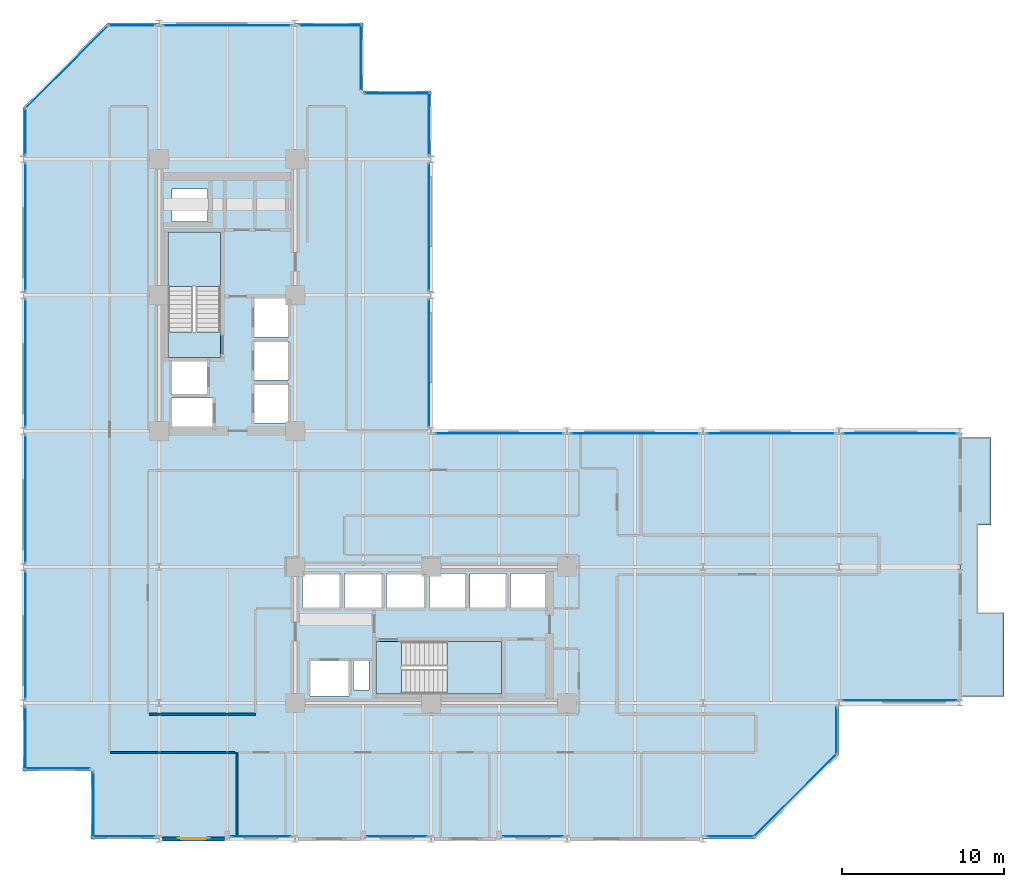
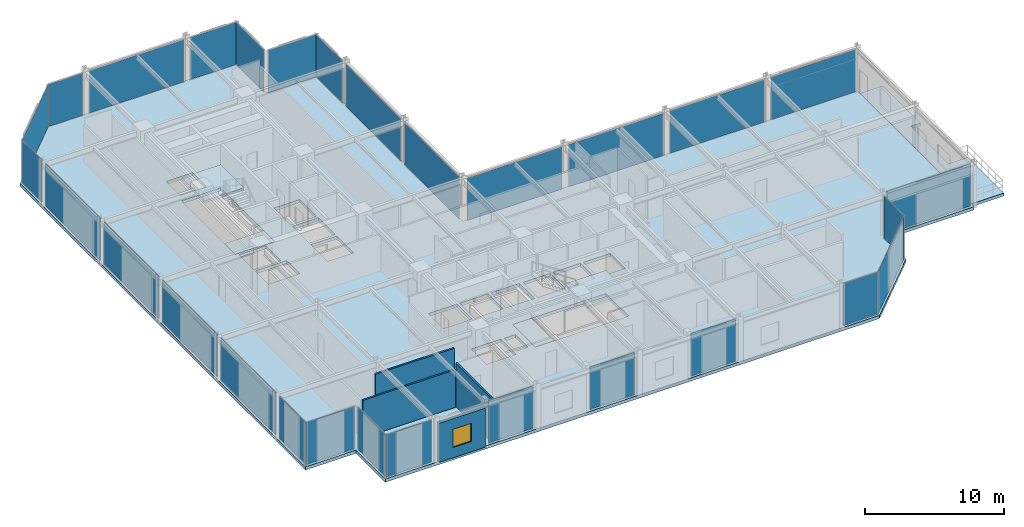
# One storey, part 31 of 38: 29 plates, 6 slabs, 4 walls, 1 window, 1 opening, 31 elements without a shape of their own.
"""IFC4 building model written with IfcOpenShell, lengths in metres."""

from ifc_helpers import new_model, si_unit, direction, frame, frame_2d, origin, origin_2d, place, context, subcontext, project, spatial, polyline, rectangle, outline, extrude, material, layer, layer_set, type_object, element, fill, aggregate, save


model = new_model("IFC4")

# Units and contexts
model_context = context("Model", 3, precision=1e-05, world=origin(), true_north=direction((0.0, 1.0)))
body_context = subcontext(model_context, "Body", "Model", "MODEL_VIEW")
ifc_project = project(units=[si_unit("LENGTHUNIT", "METRE"), si_unit("AREAUNIT", "SQUARE_METRE"), si_unit("VOLUMEUNIT", "CUBIC_METRE"), si_unit("PLANEANGLEUNIT", "RADIAN"), si_unit("MASSUNIT", "GRAM", prefix="KILO")], contexts=[model_context])

# Site, building, storey
site_placement = place(None, origin())
site = spatial("IfcSite", under=ifc_project, at=site_placement, CompositionType="ELEMENT")
building_placement = place(site_placement, origin())
building = spatial("IfcBuilding", under=site, at=building_placement, Name="Nerrivon Quay Data Exchange", CompositionType="ELEMENT")
storey_placement = place(building_placement, frame((0.0, 0.0, 88.5)))
storey = spatial("IfcBuildingStorey", under=building, at=storey_placement, Name="L20", CompositionType="ELEMENT", Elevation=88.5)

# Curtain wall, plate
ifc_material_1 = material(Name="Anodised aluminium 6063-T6", Category="aluminium")
ifc_layer_1 = layer(ifc_material_1, 0.199951171875)
ifc_layer_set_1 = layer_set([ifc_layer_1], Name="Anodised aluminium 6063-T6")
curtain_wall_type_1 = type_object("IfcCurtainWallType", Name="CW-SYS-04", PredefinedType="NOTDEFINED", material=ifc_layer_set_1)
curtain_wall_1_placement = place(storey_placement, origin())
curtain_wall_1 = element("IfcCurtainWall", 1, at=curtain_wall_1_placement, inside=storey, type_object=curtain_wall_type_1, Name="L20 Unitised Curtain Wall 3", PredefinedType="NOTDEFINED")
ifc_material_2 = material(Name="Double-glazed low-E solar control glass", Category="glass")
ifc_layer_2 = layer(ifc_material_2, 0.028076171875)
ifc_layer_set_2 = layer_set([ifc_layer_2], Name="Double-glazed low-E solar control glass")
plate_type = type_object("IfcPlateType", Name="CWP-GLZ-28", PredefinedType="CURTAIN_PANEL", material=ifc_layer_set_2)
plate_1_placement = place(storey_placement, frame((54.17236328125, 8.5400390625, 0.06494140625), z_axis=(0.0, 0.0, 1.0), x_axis=(-1.0, 0.0, 0.0)))
plate_1 = element("IfcPlate", 2, at=plate_1_placement, type_object=plate_type, Name="CW04 panel 1.1", PredefinedType="CURTAIN_PANEL", context=body_context, shape_type="SweptSolid", body=[
    extrude(rectangle(XDim=6.994384765625, YDim=0.028076171875, at=origin_2d()), origin(), (0.0, 0.0, 1.0), 3.695068359375),
])
aggregate(curtain_wall_1, [plate_1])

ifc_layer_3 = layer(ifc_material_1, 0.2099609375)
ifc_layer_set_3 = layer_set([ifc_layer_3], Name="Anodised aluminium 6063-T6")
curtain_wall_type_2 = type_object("IfcCurtainWallType", Name="CW-SYS-02", PredefinedType="NOTDEFINED", material=ifc_layer_set_3)
curtain_wall_2_placement = place(storey_placement, origin())
curtain_wall_2 = element("IfcCurtainWall", 3, at=curtain_wall_2_placement, inside=storey, type_object=curtain_wall_type_2, Name="L20 Unitised Curtain Wall 4", PredefinedType="NOTDEFINED")
plate_2_placement = place(storey_placement, frame((50.260009765625, 6.699951171875, 0.06494140625), z_axis=(0.0, 0.0, 1.0), x_axis=(0.0, -1.0, 0.0)))
plate_2 = element("IfcPlate", 4, at=plate_2_placement, type_object=plate_type, Name="CW02 panel 1.1", PredefinedType="CURTAIN_PANEL", context=body_context, shape_type="SweptSolid", body=[
    extrude(rectangle(XDim=2.85009765625, YDim=0.028076171875, at=origin_2d()), origin(), (0.0, 0.0, 1.0), 3.695068359375),
])
aggregate(curtain_wall_2, [plate_2])

curtain_wall_3_placement = place(storey_placement, origin())
curtain_wall_3 = element("IfcCurtainWall", 5, at=curtain_wall_3_placement, inside=storey, type_object=curtain_wall_type_2, Name="L20 Unitised Curtain Wall 5", PredefinedType="NOTDEFINED")
plate_3_placement = place(storey_placement, frame((47.700927734375, 2.698974609375, 0.06494140625), z_axis=(0.0, 0.0, 1.0), x_axis=(-0.707106781187, -0.707106781187, 0.0)))
plate_3 = element("IfcPlate", 6, at=plate_3_placement, type_object=plate_type, Name="CW02 panel 1.1", PredefinedType="CURTAIN_PANEL", context=body_context, shape_type="SweptSolid", body=[
    extrude(rectangle(XDim=7.203857421875, YDim=0.028076171875, at=origin_2d()), origin(), (0.0, 0.0, 1.0), 3.695068359375),
])
aggregate(curtain_wall_3, [plate_3])

curtain_wall_4_placement = place(storey_placement, origin())
curtain_wall_4 = element("IfcCurtainWall", 7, at=curtain_wall_4_placement, inside=storey, type_object=curtain_wall_type_2, Name="L20 Unitised Curtain Wall 6", PredefinedType="NOTDEFINED")
plate_4_placement = place(storey_placement, frame((43.699951171875, 0.139892578125, 0.06494140625), z_axis=(0.0, 0.0, 1.0), x_axis=(-1.0, 0.0, 0.0)))
plate_4 = element("IfcPlate", 8, at=plate_4_placement, type_object=plate_type, Name="CW02 panel 1.1", PredefinedType="CURTAIN_PANEL", context=body_context, shape_type="SweptSolid", body=[
    extrude(rectangle(XDim=2.85009765625, YDim=0.028076171875, at=origin_2d()), origin(), (0.0, 0.0, 1.0), 3.695068359375),
])
aggregate(curtain_wall_4, [plate_4])

curtain_wall_5_placement = place(storey_placement, origin())
curtain_wall_5 = element("IfcCurtainWall", 9, at=curtain_wall_5_placement, inside=storey, type_object=curtain_wall_type_2, Name="L20 Unitised Curtain Wall 8", PredefinedType="NOTDEFINED")
plate_5_placement = place(storey_placement, frame((31.487548828125, 0.139892578125, 0.06494140625), z_axis=(0.0, 0.0, 1.0), x_axis=(-1.0, 0.0, 0.0)))
plate_5 = element("IfcPlate", 10, at=plate_5_placement, type_object=plate_type, Name="CW02 panel 1.1", PredefinedType="CURTAIN_PANEL", context=body_context, shape_type="SweptSolid", body=[
    extrude(rectangle(XDim=3.675048828125, YDim=0.028076171875, at=origin_2d()), origin(), (0.0, 0.0, 1.0), 3.695068359375),
])
aggregate(curtain_wall_5, [plate_5])

curtain_wall_6_placement = place(storey_placement, origin())
curtain_wall_6 = element("IfcCurtainWall", 11, at=curtain_wall_6_placement, inside=storey, type_object=curtain_wall_type_2, Name="L20 Unitised Curtain Wall 10", PredefinedType="NOTDEFINED")
plate_6_placement = place(storey_placement, frame((23.08740234375, 0.139892578125, 0.06494140625), z_axis=(0.0, 0.0, 1.0), x_axis=(-1.0, 0.0, 0.0)))
plate_6 = element("IfcPlate", 12, at=plate_6_placement, type_object=plate_type, Name="CW02 panel 1.1", PredefinedType="CURTAIN_PANEL", context=body_context, shape_type="SweptSolid", body=[
    extrude(rectangle(XDim=3.675048828125, YDim=0.028076171875, at=origin_2d()), origin(), (0.0, 0.0, 1.0), 3.695068359375),
])
aggregate(curtain_wall_6, [plate_6])

curtain_wall_7_placement = place(storey_placement, origin())
curtain_wall_7 = element("IfcCurtainWall", 13, at=curtain_wall_7_placement, inside=storey, type_object=curtain_wall_type_2, Name="L20 Unitised Curtain Wall 12", PredefinedType="NOTDEFINED")
plate_7_placement = place(storey_placement, frame((14.6875, 0.139892578125, 0.06494140625), z_axis=(0.0, 0.0, 1.0), x_axis=(-1.0, 0.0, 0.0)))
plate_7 = element("IfcPlate", 14, at=plate_7_placement, type_object=plate_type, Name="CW02 panel 1.1", PredefinedType="CURTAIN_PANEL", context=body_context, shape_type="SweptSolid", body=[
    extrude(rectangle(XDim=3.675048828125, YDim=0.028076171875, at=origin_2d()), origin(), (0.0, 0.0, 1.0), 3.695068359375),
])
aggregate(curtain_wall_7, [plate_7])

curtain_wall_8_placement = place(storey_placement, origin())
curtain_wall_8 = element("IfcCurtainWall", 15, at=curtain_wall_8_placement, inside=storey, type_object=curtain_wall_type_2, Name="L20 Unitised Curtain Wall 14", PredefinedType="NOTDEFINED")
plate_8_placement = place(storey_placement, frame((6.199951171875, 0.139892578125, 0.06494140625), z_axis=(0.0, 0.0, 1.0), x_axis=(-1.0, 0.0, 0.0)))
plate_8 = element("IfcPlate", 16, at=plate_8_placement, type_object=plate_type, Name="CW02 panel 1.1", PredefinedType="CURTAIN_PANEL", context=body_context, shape_type="SweptSolid", body=[
    extrude(rectangle(XDim=3.85009765625, YDim=0.028076171875, at=origin_2d()), origin(), (0.0, 0.0, 1.0), 3.695068359375),
])
aggregate(curtain_wall_8, [plate_8])

curtain_wall_9_placement = place(storey_placement, origin())
curtain_wall_9 = element("IfcCurtainWall", 17, at=curtain_wall_9_placement, inside=storey, type_object=curtain_wall_type_2, Name="L20 Unitised Curtain Wall 15", PredefinedType="NOTDEFINED")
plate_9_placement = place(storey_placement, frame((4.340087890625, 2.10009765625, 0.06494140625), z_axis=(0.0, 0.0, 1.0), x_axis=(0.0, 1.0, 0.0)))
plate_9 = element("IfcPlate", 18, at=plate_9_placement, type_object=plate_type, Name="CW02 panel 1.1", PredefinedType="CURTAIN_PANEL", context=body_context, shape_type="SweptSolid", body=[
    extrude(rectangle(XDim=4.050048828125, YDim=0.028076171875, at=origin_2d()), origin(), (0.0, 0.0, 1.0), 3.695068359375),
])
aggregate(curtain_wall_9, [plate_9])

curtain_wall_10_placement = place(storey_placement, origin())
curtain_wall_10 = element("IfcCurtainWall", 19, at=curtain_wall_10_placement, inside=storey, type_object=curtain_wall_type_2, Name="L20 Unitised Curtain Wall 16", PredefinedType="NOTDEFINED")
plate_10_placement = place(storey_placement, frame((2.10009765625, 4.340087890625, 0.06494140625), z_axis=(0.0, 0.0, 1.0), x_axis=(-1.0, 0.0, 0.0)))
plate_10 = element("IfcPlate", 20, at=plate_10_placement, type_object=plate_type, Name="CW02 panel 1.1", PredefinedType="CURTAIN_PANEL", context=body_context, shape_type="SweptSolid", body=[
    extrude(rectangle(XDim=4.050048828125, YDim=0.028076171875, at=origin_2d()), origin(), (0.0, 0.0, 1.0), 3.695068359375),
])
aggregate(curtain_wall_10, [plate_10])

curtain_wall_11_placement = place(storey_placement, origin())
curtain_wall_11 = element("IfcCurtainWall", 21, at=curtain_wall_11_placement, inside=storey, type_object=curtain_wall_type_2, Name="L20 Unitised Curtain Wall 17", PredefinedType="NOTDEFINED")
plate_11_placement = place(storey_placement, frame((0.139892578125, 6.199951171875, 0.06494140625), z_axis=(0.0, 0.0, 1.0), x_axis=(0.0, 1.0, 0.0)))
plate_11 = element("IfcPlate", 22, at=plate_11_placement, type_object=plate_type, Name="CW02 panel 1.1", PredefinedType="CURTAIN_PANEL", context=body_context, shape_type="SweptSolid", body=[
    extrude(rectangle(XDim=3.85009765625, YDim=0.028076171875, at=origin_2d()), origin(), (0.0, 0.0, 1.0), 3.695068359375),
])
aggregate(curtain_wall_11, [plate_11])

curtain_wall_12_placement = place(storey_placement, origin())
curtain_wall_12 = element("IfcCurtainWall", 23, at=curtain_wall_12_placement, inside=storey, type_object=curtain_wall_type_2, Name="L20 Unitised Curtain Wall 18", PredefinedType="NOTDEFINED")
plate_12_placement = place(storey_placement, frame((0.139892578125, 12.60009765625, 0.06494140625), z_axis=(0.0, 0.0, 1.0), x_axis=(0.0, 1.0, 0.0)))
plate_12 = element("IfcPlate", 24, at=plate_12_placement, type_object=plate_type, Name="CW02 panel 1.1", PredefinedType="CURTAIN_PANEL", context=body_context, shape_type="SweptSolid", body=[
    extrude(rectangle(XDim=7.85009765625, YDim=0.028076171875, at=origin_2d()), origin(), (0.0, 0.0, 1.0), 3.695068359375),
])
aggregate(curtain_wall_12, [plate_12])

curtain_wall_13_placement = place(storey_placement, origin())
curtain_wall_13 = element("IfcCurtainWall", 25, at=curtain_wall_13_placement, inside=storey, type_object=curtain_wall_type_2, Name="L20 Unitised Curtain Wall 19", PredefinedType="NOTDEFINED")
plate_13_placement = place(storey_placement, frame((0.139892578125, 21.0, 0.06494140625), z_axis=(0.0, 0.0, 1.0), x_axis=(0.0, 1.0, 0.0)))
plate_13 = element("IfcPlate", 26, at=plate_13_placement, type_object=plate_type, Name="CW02 panel 1.1", PredefinedType="CURTAIN_PANEL", context=body_context, shape_type="SweptSolid", body=[
    extrude(rectangle(XDim=7.85009765625, YDim=0.028076171875, at=origin_2d()), origin(), (0.0, 0.0, 1.0), 3.695068359375),
])
aggregate(curtain_wall_13, [plate_13])

curtain_wall_14_placement = place(storey_placement, origin())
curtain_wall_14 = element("IfcCurtainWall", 27, at=curtain_wall_14_placement, inside=storey, type_object=curtain_wall_type_2, Name="L20 Unitised Curtain Wall 20", PredefinedType="NOTDEFINED")
plate_14_placement = place(storey_placement, frame((0.139892578125, 29.39990234375, 0.06494140625), z_axis=(0.0, 0.0, 1.0), x_axis=(0.0, 1.0, 0.0)))
plate_14 = element("IfcPlate", 28, at=plate_14_placement, type_object=plate_type, Name="CW02 panel 1.1", PredefinedType="CURTAIN_PANEL", context=body_context, shape_type="SweptSolid", body=[
    extrude(rectangle(XDim=7.85009765625, YDim=0.028076171875, at=origin_2d()), origin(), (0.0, 0.0, 1.0), 3.695068359375),
])
aggregate(curtain_wall_14, [plate_14])

curtain_wall_15_placement = place(storey_placement, origin())
curtain_wall_15 = element("IfcCurtainWall", 29, at=curtain_wall_15_placement, inside=storey, type_object=curtain_wall_type_2, Name="L20 Unitised Curtain Wall 21", PredefinedType="NOTDEFINED")
plate_15_placement = place(storey_placement, frame((0.139892578125, 37.800048828125, 0.06494140625), z_axis=(0.0, 0.0, 1.0), x_axis=(0.0, 1.0, 0.0)))
plate_15 = element("IfcPlate", 30, at=plate_15_placement, type_object=plate_type, Name="CW02 panel 1.1", PredefinedType="CURTAIN_PANEL", context=body_context, shape_type="SweptSolid", body=[
    extrude(rectangle(XDim=7.85009765625, YDim=0.028076171875, at=origin_2d()), origin(), (0.0, 0.0, 1.0), 3.695068359375),
])
aggregate(curtain_wall_15, [plate_15])

curtain_wall_16_placement = place(storey_placement, origin())
curtain_wall_16 = element("IfcCurtainWall", 31, at=curtain_wall_16_placement, inside=storey, type_object=curtain_wall_type_2, Name="L20 Unitised Curtain Wall 22", PredefinedType="NOTDEFINED")
plate_16_placement = place(storey_placement, frame((0.139892578125, 43.699951171875, 0.06494140625), z_axis=(0.0, 0.0, 1.0), x_axis=(0.0, 1.0, 0.0)))
plate_16 = element("IfcPlate", 32, at=plate_16_placement, type_object=plate_type, Name="CW02 panel 1.1", PredefinedType="CURTAIN_PANEL", context=body_context, shape_type="SweptSolid", body=[
    extrude(rectangle(XDim=2.85009765625, YDim=0.028076171875, at=origin_2d()), origin(), (0.0, 0.0, 1.0), 3.695068359375),
])
aggregate(curtain_wall_16, [plate_16])

curtain_wall_17_placement = place(storey_placement, origin())
curtain_wall_17 = element("IfcCurtainWall", 33, at=curtain_wall_17_placement, inside=storey, type_object=curtain_wall_type_2, Name="L20 Unitised Curtain Wall 23", PredefinedType="NOTDEFINED")
plate_17_placement = place(storey_placement, frame((2.698974609375, 47.700927734375, 0.06494140625), z_axis=(0.0, 0.0, 1.0), x_axis=(0.707106781187, 0.707106781187, 0.0)))
plate_17 = element("IfcPlate", 34, at=plate_17_placement, type_object=plate_type, Name="CW02 panel 1.1", PredefinedType="CURTAIN_PANEL", context=body_context, shape_type="SweptSolid", body=[
    extrude(rectangle(XDim=7.203857421875, YDim=0.028076171875, at=origin_2d()), origin(), (0.0, 0.0, 1.0), 3.695068359375),
])
aggregate(curtain_wall_17, [plate_17])

curtain_wall_18_placement = place(storey_placement, origin())
curtain_wall_18 = element("IfcCurtainWall", 35, at=curtain_wall_18_placement, inside=storey, type_object=curtain_wall_type_2, Name="L20 Unitised Curtain Wall 24", PredefinedType="NOTDEFINED")
plate_18_placement = place(storey_placement, frame((6.699951171875, 50.260009765625, 0.06494140625), z_axis=(0.0, 0.0, 1.0), x_axis=(1.0, 0.0, 0.0)))
plate_18 = element("IfcPlate", 36, at=plate_18_placement, type_object=plate_type, Name="CW02 panel 1.1", PredefinedType="CURTAIN_PANEL", context=body_context, shape_type="SweptSolid", body=[
    extrude(rectangle(XDim=2.85009765625, YDim=0.028076171875, at=origin_2d()), origin(), (0.0, 0.0, 1.0), 3.695068359375),
])
aggregate(curtain_wall_18, [plate_18])

curtain_wall_19_placement = place(storey_placement, origin())
curtain_wall_19 = element("IfcCurtainWall", 37, at=curtain_wall_19_placement, inside=storey, type_object=curtain_wall_type_2, Name="L20 Unitised Curtain Wall 25", PredefinedType="NOTDEFINED")
plate_19_placement = place(storey_placement, frame((12.60009765625, 50.260009765625, 0.06494140625), z_axis=(0.0, 0.0, 1.0), x_axis=(1.0, 0.0, 0.0)))
plate_19 = element("IfcPlate", 38, at=plate_19_placement, type_object=plate_type, Name="CW02 panel 1.1", PredefinedType="CURTAIN_PANEL", context=body_context, shape_type="SweptSolid", body=[
    extrude(rectangle(XDim=7.85009765625, YDim=0.028076171875, at=origin_2d()), origin(), (0.0, 0.0, 1.0), 3.695068359375),
])
aggregate(curtain_wall_19, [plate_19])

curtain_wall_20_placement = place(storey_placement, origin())
curtain_wall_20 = element("IfcCurtainWall", 39, at=curtain_wall_20_placement, inside=storey, type_object=curtain_wall_type_2, Name="L20 Unitised Curtain Wall 26", PredefinedType="NOTDEFINED")
plate_20_placement = place(storey_placement, frame((19.0, 50.260009765625, 0.06494140625), z_axis=(0.0, 0.0, 1.0), x_axis=(1.0, 0.0, 0.0)))
plate_20 = element("IfcPlate", 40, at=plate_20_placement, type_object=plate_type, Name="CW02 panel 1.1", PredefinedType="CURTAIN_PANEL", context=body_context, shape_type="SweptSolid", body=[
    extrude(rectangle(XDim=3.85009765625, YDim=0.028076171875, at=origin_2d()), origin(), (0.0, 0.0, 1.0), 3.695068359375),
])
aggregate(curtain_wall_20, [plate_20])

curtain_wall_21_placement = place(storey_placement, origin())
curtain_wall_21 = element("IfcCurtainWall", 41, at=curtain_wall_21_placement, inside=storey, type_object=curtain_wall_type_2, Name="L20 Unitised Curtain Wall 27", PredefinedType="NOTDEFINED")
plate_21_placement = place(storey_placement, frame((20.860107421875, 48.300048828125, 0.06494140625), z_axis=(0.0, 0.0, 1.0), x_axis=(0.0, -1.0, 0.0)))
plate_21 = element("IfcPlate", 42, at=plate_21_placement, type_object=plate_type, Name="CW02 panel 1.1", PredefinedType="CURTAIN_PANEL", context=body_context, shape_type="SweptSolid", body=[
    extrude(rectangle(XDim=4.050048828125, YDim=0.028076171875, at=origin_2d()), origin(), (0.0, 0.0, 1.0), 3.695068359375),
])
aggregate(curtain_wall_21, [plate_21])

curtain_wall_22_placement = place(storey_placement, origin())
curtain_wall_22 = element("IfcCurtainWall", 43, at=curtain_wall_22_placement, inside=storey, type_object=curtain_wall_type_2, Name="L20 Unitised Curtain Wall 28", PredefinedType="NOTDEFINED")
plate_22_placement = place(storey_placement, frame((23.10009765625, 46.06005859375, 0.06494140625), z_axis=(0.0, 0.0, 1.0), x_axis=(1.0, 0.0, 0.0)))
plate_22 = element("IfcPlate", 44, at=plate_22_placement, type_object=plate_type, Name="CW02 panel 1.1", PredefinedType="CURTAIN_PANEL", context=body_context, shape_type="SweptSolid", body=[
    extrude(rectangle(XDim=4.050048828125, YDim=0.028076171875, at=origin_2d()), origin(), (0.0, 0.0, 1.0), 3.695068359375),
])
aggregate(curtain_wall_22, [plate_22])

curtain_wall_23_placement = place(storey_placement, origin())
curtain_wall_23 = element("IfcCurtainWall", 45, at=curtain_wall_23_placement, inside=storey, type_object=curtain_wall_type_2, Name="L20 Unitised Curtain Wall 29", PredefinedType="NOTDEFINED")
plate_23_placement = place(storey_placement, frame((25.06005859375, 44.199951171875, 0.06494140625), z_axis=(0.0, 0.0, 1.0), x_axis=(0.0, -1.0, 0.0)))
plate_23 = element("IfcPlate", 46, at=plate_23_placement, type_object=plate_type, Name="CW02 panel 1.1", PredefinedType="CURTAIN_PANEL", context=body_context, shape_type="SweptSolid", body=[
    extrude(rectangle(XDim=3.85009765625, YDim=0.028076171875, at=origin_2d()), origin(), (0.0, 0.0, 1.0), 3.695068359375),
])
aggregate(curtain_wall_23, [plate_23])

curtain_wall_24_placement = place(storey_placement, origin())
curtain_wall_24 = element("IfcCurtainWall", 47, at=curtain_wall_24_placement, inside=storey, type_object=curtain_wall_type_2, Name="L20 Unitised Curtain Wall 30", PredefinedType="NOTDEFINED")
plate_24_placement = place(storey_placement, frame((25.06005859375, 37.800048828125, 0.06494140625), z_axis=(0.0, 0.0, 1.0), x_axis=(0.0, -1.0, 0.0)))
plate_24 = element("IfcPlate", 48, at=plate_24_placement, type_object=plate_type, Name="CW02 panel 1.1", PredefinedType="CURTAIN_PANEL", context=body_context, shape_type="SweptSolid", body=[
    extrude(rectangle(XDim=7.85009765625, YDim=0.028076171875, at=origin_2d()), origin(), (0.0, 0.0, 1.0), 3.695068359375),
])
aggregate(curtain_wall_24, [plate_24])

curtain_wall_25_placement = place(storey_placement, origin())
curtain_wall_25 = element("IfcCurtainWall", 49, at=curtain_wall_25_placement, inside=storey, type_object=curtain_wall_type_2, Name="L20 Unitised Curtain Wall 31", PredefinedType="NOTDEFINED")
plate_25_placement = place(storey_placement, frame((25.06005859375, 29.39990234375, 0.06494140625), z_axis=(0.0, 0.0, 1.0), x_axis=(0.0, -1.0, 0.0)))
plate_25 = element("IfcPlate", 50, at=plate_25_placement, type_object=plate_type, Name="CW02 panel 1.1", PredefinedType="CURTAIN_PANEL", context=body_context, shape_type="SweptSolid", body=[
    extrude(rectangle(XDim=7.85009765625, YDim=0.028076171875, at=origin_2d()), origin(), (0.0, 0.0, 1.0), 3.695068359375),
])
aggregate(curtain_wall_25, [plate_25])

curtain_wall_26_placement = place(storey_placement, origin())
curtain_wall_26 = element("IfcCurtainWall", 51, at=curtain_wall_26_placement, inside=storey, type_object=curtain_wall_type_2, Name="L20 Unitised Curtain Wall 32", PredefinedType="NOTDEFINED")
plate_26_placement = place(storey_placement, frame((29.39990234375, 25.06005859375, 0.06494140625), z_axis=(0.0, 0.0, 1.0), x_axis=(1.0, 0.0, 0.0)))
plate_26 = element("IfcPlate", 52, at=plate_26_placement, type_object=plate_type, Name="CW02 panel 1.1", PredefinedType="CURTAIN_PANEL", context=body_context, shape_type="SweptSolid", body=[
    extrude(rectangle(XDim=7.85009765625, YDim=0.028076171875, at=origin_2d()), origin(), (0.0, 0.0, 1.0), 3.695068359375),
])
aggregate(curtain_wall_26, [plate_26])

curtain_wall_27_placement = place(storey_placement, origin())
curtain_wall_27 = element("IfcCurtainWall", 53, at=curtain_wall_27_placement, inside=storey, type_object=curtain_wall_type_2, Name="L20 Unitised Curtain Wall 33", PredefinedType="NOTDEFINED")
plate_27_placement = place(storey_placement, frame((37.800048828125, 25.06005859375, 0.06494140625), z_axis=(0.0, 0.0, 1.0), x_axis=(1.0, 0.0, 0.0)))
plate_27 = element("IfcPlate", 54, at=plate_27_placement, type_object=plate_type, Name="CW02 panel 1.1", PredefinedType="CURTAIN_PANEL", context=body_context, shape_type="SweptSolid", body=[
    extrude(rectangle(XDim=7.85009765625, YDim=0.028076171875, at=origin_2d()), origin(), (0.0, 0.0, 1.0), 3.695068359375),
])
aggregate(curtain_wall_27, [plate_27])

curtain_wall_28_placement = place(storey_placement, origin())
curtain_wall_28 = element("IfcCurtainWall", 55, at=curtain_wall_28_placement, inside=storey, type_object=curtain_wall_type_2, Name="L20 Unitised Curtain Wall 34", PredefinedType="NOTDEFINED")
plate_28_placement = place(storey_placement, frame((46.199951171875, 25.06005859375, 0.06494140625), z_axis=(0.0, 0.0, 1.0), x_axis=(1.0, 0.0, 0.0)))
plate_28 = element("IfcPlate", 56, at=plate_28_placement, type_object=plate_type, Name="CW02 panel 1.1", PredefinedType="CURTAIN_PANEL", context=body_context, shape_type="SweptSolid", body=[
    extrude(rectangle(XDim=7.85009765625, YDim=0.028076171875, at=origin_2d()), origin(), (0.0, 0.0, 1.0), 3.695068359375),
])
aggregate(curtain_wall_28, [plate_28])

curtain_wall_29_placement = place(storey_placement, origin())
curtain_wall_29 = element("IfcCurtainWall", 57, at=curtain_wall_29_placement, inside=storey, type_object=curtain_wall_type_1, Name="L20 Unitised Curtain Wall 35", PredefinedType="NOTDEFINED")
plate_29_placement = place(storey_placement, frame((54.17236328125, 25.06005859375, 0.06494140625), z_axis=(0.0, 0.0, 1.0), x_axis=(1.0, 0.0, 0.0)))
plate_29 = element("IfcPlate", 58, at=plate_29_placement, type_object=plate_type, Name="CW04 panel 1.1", PredefinedType="CURTAIN_PANEL", context=body_context, shape_type="SweptSolid", body=[
    extrude(rectangle(XDim=6.994384765625, YDim=0.028076171875, at=origin_2d()), origin(), (0.0, 0.0, 1.0), 3.695068359375),
])
aggregate(curtain_wall_29, [plate_29])

# Slab
ifc_material_3 = material(Name="Precast white architectural concrete N50 (50 MPa)", Category="concrete")
ifc_layer_4 = layer(ifc_material_3, 0.25)
ifc_layer_set_4 = layer_set([ifc_layer_4], Name="Precast white architectural concrete N50 (50 MPa)")
slab_type_1 = type_object("IfcSlabType", Name="SLB-BAL-250", PredefinedType="FLOOR", material=ifc_layer_set_4)
slab_1_placement = place(storey_placement, frame((0.0, 0.0, -0.25)))
element("IfcSlab", 59, at=slab_1_placement, inside=storey, type_object=slab_type_1, Name="L20 East Hooked Drifting Verandah", PredefinedType="FLOOR", context=body_context, shape_type="SweptSolid", body=[
    extrude(outline(polyline([(59.0, 14.0), (59.0, 19.39990234375), (59.800048828125, 19.39990234375), (59.800048828125, 24.800048828125), (57.89990234375, 24.800048828125), (57.89990234375, 19.39990234375), (57.89990234375, 14.0), (57.89990234375, 8.800048828125), (60.60009765625, 8.800048828125), (60.60009765625, 14.0), (59.0, 14.0)])), origin(), (0.0, 0.0, 1.0), 0.25),
])

# Stair, slab
ifc_material_4 = material(Name="Concrete N50 (50 MPa)", Category="concrete")
stair_type = type_object("IfcStairType", Name="STAIR-DOG-41", PredefinedType="HALF_TURN_STAIR", material=ifc_material_4)
stair_1_placement = place(storey_placement, origin())
stair_1 = element("IfcStair", 60, at=stair_1_placement, inside=storey, type_object=stair_type, Name="L20 West Core Fire Stair ST01", PredefinedType="HALF_TURN_STAIR")
ifc_layer_5 = layer(ifc_material_4, 0.199951171875)
ifc_layer_set_5 = layer_set([ifc_layer_5], Name="Concrete N50 (50 MPa)")
slab_type_2 = type_object("IfcSlabType", Name="SLB-LAND-200", PredefinedType="LANDING", material=ifc_layer_set_5)
slab_2_placement = place(storey_placement, frame((0.0, 0.0, 1.85009765625)))
slab_2 = element("IfcSlab", 61, at=slab_2_placement, type_object=slab_type_2, Name="ST01 landing 1", PredefinedType="LANDING", context=body_context, shape_type="SweptSolid", body=[
    extrude(outline(polyline([(12.199951171875, 34.1298828125), (12.199951171875, 37.5), (8.949951171875, 37.5), (8.949951171875, 34.1298828125), (12.199951171875, 34.1298828125)])), origin(), (0.0, 0.0, 1.0), 0.199951171875),
])
aggregate(stair_1, [slab_2])

# Slab
slab_3_placement = place(storey_placement, frame((0.0, 0.0, -0.199951171875)))
element("IfcSlab", 62, at=slab_3_placement, inside=storey, type_object=slab_type_2, Name="L20 ST01 floor landing", PredefinedType="LANDING", context=body_context, shape_type="SweptSolid", body=[
    extrude(outline(polyline([(12.199951171875, 29.75), (12.199951171875, 31.330078125), (8.949951171875, 31.330078125), (8.949951171875, 29.75), (12.199951171875, 29.75)])), origin(), (0.0, 0.0, 1.0), 0.199951171875),
])

# Stair, slab
stair_2_placement = place(storey_placement, origin())
stair_2 = element("IfcStair", 63, at=stair_2_placement, inside=storey, type_object=stair_type, Name="L20 East Core Fire Stair ST02", PredefinedType="HALF_TURN_STAIR")
slab_4_placement = place(storey_placement, frame((0.0, 0.0, 1.85009765625)))
slab_4 = element("IfcSlab", 64, at=slab_4_placement, type_object=slab_type_2, Name="ST02 landing 1", PredefinedType="LANDING", context=body_context, shape_type="SweptSolid", body=[
    extrude(outline(polyline([(26.179931640625, 8.949951171875), (29.550048828125, 8.949951171875), (29.550048828125, 12.199951171875), (26.179931640625, 12.199951171875), (26.179931640625, 8.949951171875)])), origin(), (0.0, 0.0, 1.0), 0.199951171875),
])
aggregate(stair_2, [slab_4])

# Slabs
slab_5_placement = place(storey_placement, frame((0.0, 0.0, -0.199951171875)))
element("IfcSlab", 65, at=slab_5_placement, inside=storey, type_object=slab_type_2, Name="L20 ST02 floor landing", PredefinedType="LANDING", context=body_context, shape_type="SweptSolid", body=[
    extrude(outline(polyline([(21.800048828125, 8.949951171875), (23.3798828125, 8.949951171875), (23.3798828125, 12.199951171875), (21.800048828125, 12.199951171875), (21.800048828125, 8.949951171875)])), origin(), (0.0, 0.0, 1.0), 0.199951171875),
])
ifc_layer_6 = layer(ifc_material_4, 0.27490234375)
ifc_layer_set_6 = layer_set([ifc_layer_6], Name="Concrete N50 (50 MPa)")
slab_type_3 = type_object("IfcSlabType", Name="SLB-TOW-275", PredefinedType="FLOOR", material=ifc_layer_set_6)
slab_6_placement = place(storey_placement, frame((0.0, 0.0, -0.27490234375)))
element("IfcSlab", 66, at=slab_6_placement, inside=storey, type_object=slab_type_3, Name="L20 Primary Structural Slab", PredefinedType="FLOOR", context=body_context, shape_type="SweptSolid", body=[
    extrude(outline(polyline([(25.199951171875, 25.199951171875), (25.199951171875, 46.199951171875), (21.0, 46.199951171875), (21.0, 50.39990234375), (5.199951171875, 50.39990234375), (0.0, 45.199951171875), (0.0, 4.199951171875), (4.199951171875, 4.199951171875), (4.199951171875, 0.0), (45.199951171875, 0.0), (50.39990234375, 5.199951171875), (50.39990234375, 8.39990234375), (57.89990234375, 8.39990234375), (57.89990234375, 25.199951171875), (25.199951171875, 25.199951171875)]), holes=[polyline([(8.949951171875, 29.75), (8.949951171875, 37.5), (12.199951171875, 37.5), (12.199951171875, 29.75), (8.949951171875, 29.75)]), polyline([(21.800048828125, 12.199951171875), (29.550048828125, 12.199951171875), (29.550048828125, 8.949951171875), (21.800048828125, 8.949951171875), (21.800048828125, 12.199951171875)]), polyline([(30.10009765625, 16.39990234375), (32.35009765625, 16.39990234375), (32.35009765625, 14.25), (30.10009765625, 14.25), (30.10009765625, 16.39990234375)]), polyline([(27.60009765625, 16.39990234375), (29.85009765625, 16.39990234375), (29.85009765625, 14.25), (27.60009765625, 14.25), (27.60009765625, 16.39990234375)]), polyline([(25.10009765625, 16.39990234375), (27.35009765625, 16.39990234375), (27.35009765625, 14.25), (25.10009765625, 14.25), (25.10009765625, 16.39990234375)]), polyline([(22.449951171875, 16.39990234375), (24.800048828125, 16.39990234375), (24.800048828125, 14.25), (22.449951171875, 14.25), (22.449951171875, 16.39990234375)]), polyline([(19.85009765625, 16.39990234375), (22.199951171875, 16.39990234375), (22.199951171875, 14.25), (19.85009765625, 14.25), (19.85009765625, 16.39990234375)]), polyline([(20.39990234375, 11.0), (21.35009765625, 11.0), (21.35009765625, 9.199951171875), (20.39990234375, 9.199951171875), (20.39990234375, 11.0)]), polyline([(17.699951171875, 8.830078125), (17.699951171875, 11.030029296875), (20.14990234375, 11.030029296875), (20.14990234375, 8.830078125), (17.699951171875, 8.830078125)]), polyline([(17.25, 14.25), (17.25, 16.39990234375), (19.60009765625, 16.39990234375), (19.60009765625, 14.25), (17.25, 14.25)]), polyline([(14.25, 28.10009765625), (16.39990234375, 28.10009765625), (16.39990234375, 25.699951171875), (14.25, 25.699951171875), (14.25, 28.10009765625)]), polyline([(14.25, 30.75), (16.39990234375, 30.75), (16.39990234375, 28.35009765625), (14.25, 28.35009765625), (14.25, 30.75)]), polyline([(14.25, 33.39990234375), (16.39990234375, 33.39990234375), (16.39990234375, 31.0), (14.25, 31.0), (14.25, 33.39990234375)]), polyline([(9.14990234375, 27.25), (11.75, 27.25), (11.75, 25.35009765625), (9.14990234375, 25.35009765625), (9.14990234375, 27.25)]), polyline([(9.14990234375, 29.60009765625), (11.39990234375, 29.60009765625), (11.39990234375, 27.449951171875), (9.14990234375, 27.449951171875), (9.14990234375, 29.60009765625)]), polyline([(9.199951171875, 40.14990234375), (11.39990234375, 40.14990234375), (11.39990234375, 38.14990234375), (9.199951171875, 38.14990234375), (9.199951171875, 40.14990234375)])]), origin(), (0.0, 0.0, 1.0), 0.27490234375),
])

# Wall, opening, window
ifc_material_5 = material(Name="Architectural terracotta precast concrete N50 (50 MPa)", Category="masonry")
ifc_layer_7 = layer(ifc_material_5, 0.239990234375)
ifc_layer_set_7 = layer_set([ifc_layer_7], Name="Architectural terracotta precast concrete N50 (50 MPa)")
wall_type_1 = type_object("IfcWallType", Name="EW-PREC-240", PredefinedType="STANDARD", material=ifc_layer_set_7)
wall_1_placement = place(storey_placement, frame((12.425048828125, 0.0, 0.0), z_axis=(0.0, 0.0, 1.0), x_axis=(-1.0, 0.0, 0.0)))
wall_1 = element("IfcWall", 67, at=wall_1_placement, inside=storey, type_object=wall_type_1, Name="L20 Podium Precast Spandrel Wall 13", PredefinedType="STANDARD", context=body_context, shape_type="SweptSolid", body=[
    extrude(rectangle(XDim=3.824951171875, YDim=0.239990234375, at=frame_2d((1.91259765625, 0.0))), origin(), (0.0, 0.0, 1.0), 3.422119140625),
])
opening_placement = place(wall_1_placement, frame((1.16259765625, 0.0, 0.89990234375)))
opening = element("IfcOpeningElement", 68, at=opening_placement, cuts=wall_1, Name="Opening WN4", PredefinedType="OPENING", context=body_context, shape_type="SweptSolid", body=[
    extrude(rectangle(XDim=1.5, YDim=1.60009765625, at=frame_2d((0.75, 0.800048828125))), frame((0.0, 0.1298828125, 0.0), z_axis=(0.0, -1.0, 0.0), x_axis=(1.0, 0.0, 0.0)), (0.0, 0.0, 1.0), 0.260009765625),
])
window_type = type_object("IfcWindowType", Name="WIN-W4-1500x1600", PartitioningType="SINGLE_PANEL", PredefinedType="WINDOW", material=ifc_material_2)
window_placement = place(opening_placement, origin())
window = element("IfcWindow", 69, at=window_placement, inside=storey, type_object=window_type, Name="L20 Solar Facade Window 13", OverallHeight=1.60009765625, OverallWidth=1.5, PartitioningType="SINGLE_PANEL", PredefinedType="WINDOW", context=body_context, shape_type="SweptSolid", body=[
    extrude(rectangle(XDim=1.5, YDim=1.60009765625, at=frame_2d((0.75, 0.800048828125))), frame((0.0, 0.030029296875, 0.0), z_axis=(0.0, -1.0, 0.0), x_axis=(1.0, 0.0, 0.0)), (0.0, 0.0, 1.0), 0.06005859375),
])
fill(opening, window)

# Walls
ifc_material_6 = material(Name="Gypsum plasterboard on cold-formed framing", Category="gypsum")
ifc_layer_8 = layer(ifc_material_6, 0.135009765625)
ifc_layer_set_8 = layer_set([ifc_layer_8], Name="Gypsum plasterboard on cold-formed framing")
wall_type_2 = type_object("IfcWallType", Name="WALL-PT-135", PredefinedType="PARTITIONING", material=ifc_layer_set_8)
wall_2_placement = place(storey_placement, frame((13.199951171875, 5.340087890625, 0.0), z_axis=(0.0, 0.0, 1.0), x_axis=(0.0, -1.0, 0.0)))
element("IfcWall", 70, at=wall_2_placement, inside=storey, type_object=wall_type_2, Name="L20 Partition Accessible Toilet", PredefinedType="PARTITIONING", context=body_context, shape_type="SweptSolid", body=[
    extrude(rectangle(XDim=5.171142578125, YDim=0.135009765625, at=frame_2d((2.58544921875, 0.0))), origin(), (0.0, 0.0, 1.0), 3.824951171875),
])
ifc_layer_9 = layer(ifc_material_6, 0.14990234375)
ifc_layer_set_9 = layer_set([ifc_layer_9], Name="Gypsum plasterboard on cold-formed framing")
wall_type_3 = type_object("IfcWallType", Name="WALL-PT-150", PredefinedType="PARTITIONING", material=ifc_layer_set_9)
wall_3_placement = place(storey_placement, frame((7.7890625, 7.7099609375, 0.0), z_axis=(0.0, 0.0, 1.0), x_axis=(1.0, 0.0, 0.0)))
element("IfcWall", 71, at=wall_3_placement, inside=storey, type_object=wall_type_3, Name="L20 Partition Cloud Compute Workspace 1", PredefinedType="PARTITIONING", context=body_context, shape_type="SweptSolid", body=[
    extrude(rectangle(XDim=6.551025390625, YDim=0.14990234375, at=frame_2d((3.275390625, 0.0))), origin(), (0.0, 0.0, 1.0), 3.297119140625),
])
wall_4_placement = place(storey_placement, frame((13.080078125, 5.340087890625, 0.0), z_axis=(0.0, 0.0, 1.0), x_axis=(-1.0, 0.0, 0.0)))
element("IfcWall", 72, at=wall_4_placement, inside=storey, type_object=wall_type_3, Name="L20 Partition Optical Engineering Studios Workspace", PredefinedType="PARTITIONING", context=body_context, shape_type="SweptSolid", body=[
    extrude(rectangle(XDim=7.68017578125, YDim=0.14990234375, at=frame_2d((3.840087890625, 0.0))), origin(), (0.0, 0.0, 1.0), 3.297119140625),
])

save(model, "model.ifc")
